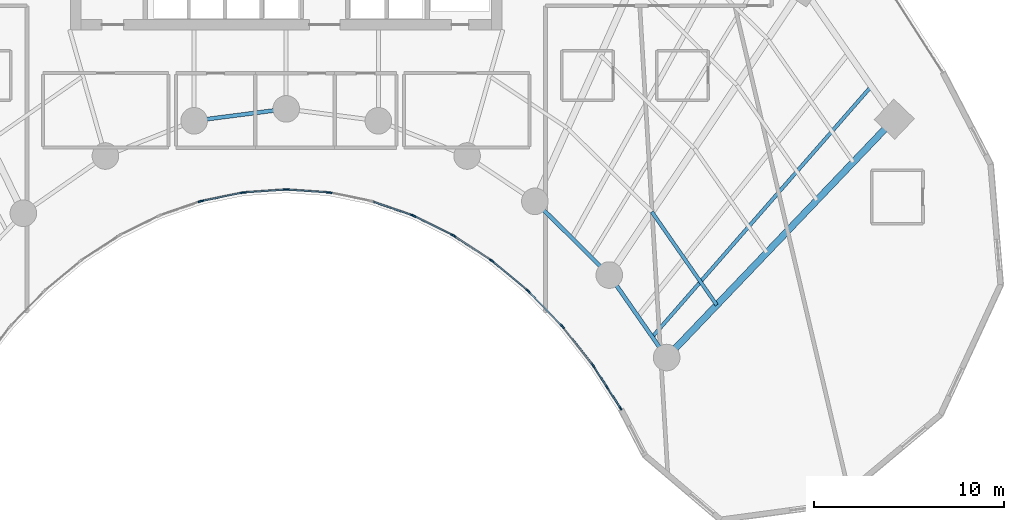
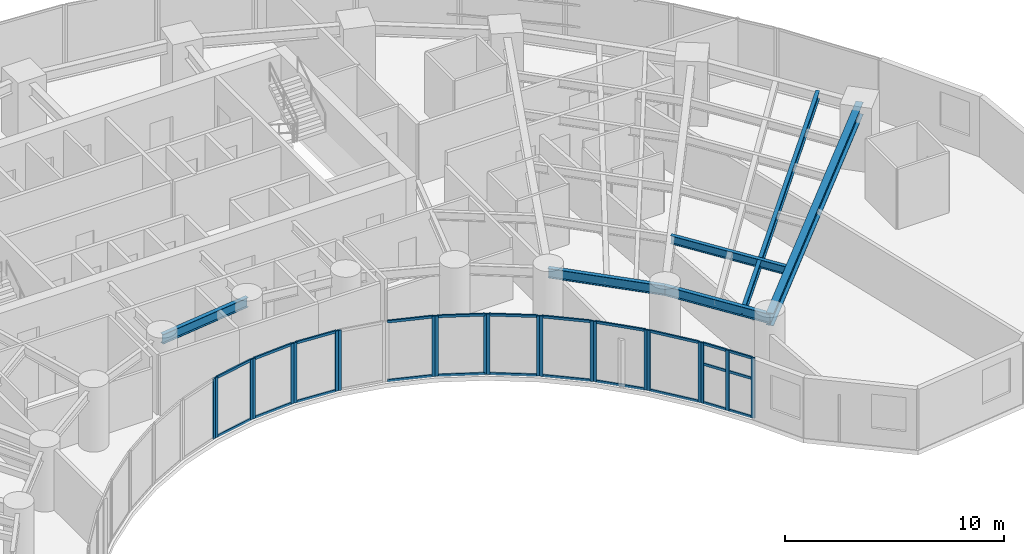
# One storey, part 4 of 17: 46 members, 6 beams, 12 elements without a shape of their own.
"""IFC4 building model written with IfcOpenShell, lengths in metres."""

from ifc_helpers import new_model, si_unit, direction, frame, origin, origin_2d, place, context, subcontext, project, spatial, rectangle, i_section, extrude, source, transform, mapped, material, layer, layer_set, material_profile, profile_set, type_object, type_shapes, element, aggregate, save


model = new_model("IFC4")

# Units and contexts
model_context = context("Model", 3, precision=1e-05, world=origin(), true_north=direction((0.0, 1.0)))
body_context = subcontext(model_context, "Body", "Model", "MODEL_VIEW")
ifc_project = project(units=[si_unit("LENGTHUNIT", "METRE"), si_unit("AREAUNIT", "SQUARE_METRE"), si_unit("VOLUMEUNIT", "CUBIC_METRE"), si_unit("PLANEANGLEUNIT", "RADIAN"), si_unit("MASSUNIT", "GRAM", prefix="KILO")], contexts=[model_context])

# Site, building, storey
site_placement = place(None, origin())
site = spatial("IfcSite", under=ifc_project, at=site_placement, CompositionType="ELEMENT")
building_placement = place(site_placement, origin())
building = spatial("IfcBuilding", under=site, at=building_placement, Name="Breltana Convention Tower", CompositionType="ELEMENT")
storey_placement = place(building_placement, frame((0.0, 0.0, 78.60009765625)))
storey = spatial("IfcBuildingStorey", under=building, at=storey_placement, Name="L18", CompositionType="ELEMENT", Elevation=78.60009765625)

# Beams
ifc_material_1 = material(Name="Steel ASTM A992 Grade 50", Category="steel")
ifc_material_profile_1 = material_profile(ifc_material_1, i_section(OverallWidth=0.35498046875, OverallDepth=0.696044921875, WebThickness=0.015380859375, FlangeThickness=0.02490234375, at=origin_2d()), Name="W27X146")
ifc_profile_set_1 = profile_set([ifc_material_profile_1], Name="Steel ASTM A992 Grade 50")
beam_type_1 = type_object("IfcBeamType", Name="BM-RG-W27X146", PredefinedType="USERDEFINED", material=ifc_profile_set_1)
shared_shape_1 = source(origin(), body_context, "Body", "SweptSolid", [
    extrude(i_section(OverallWidth=0.35498046875, OverallDepth=0.696044921875, WebThickness=0.015380859375, FlangeThickness=0.02490234375, at=origin_2d()), origin(), (0.0, 0.0, 1.0), 17.341064453125),
])
type_shapes(beam_type_1, [shared_shape_1])
beam_1_placement = place(storey_placement, frame((68.015380859375, 42.95458984375, 3.011962890625), z_axis=(0.690716462293, 0.723125693581, 0.0), x_axis=(-0.723125693581, 0.690716462293, 0.0)))
element("IfcBeam", 1, at=beam_1_placement, inside=storey, type_object=beam_type_1, Name="L18 Radial Floor Girder R11", ObjectType="GIRDER", PredefinedType="USERDEFINED", context=body_context, shape_type="MappedRepresentation", body=[
    mapped(shared_shape_1, transform((0.0, 0.0, 0.0), scale=1.0)),
])
ifc_material_profile_2 = material_profile(ifc_material_1, i_section(OverallWidth=0.2099609375, OverallDepth=0.537109375, WebThickness=0.010986328125, FlangeThickness=0.017333984375, at=origin_2d()), Name="W21X68")
ifc_profile_set_2 = profile_set([ifc_material_profile_2], Name="Steel ASTM A992 Grade 50")
beam_type_2 = type_object("IfcBeamType", Name="BM-BM-W21X68", PredefinedType="BEAM", material=ifc_profile_set_2)
shared_shape_2 = source(origin(), body_context, "Body", "SweptSolid", [
    extrude(i_section(OverallWidth=0.2099609375, OverallDepth=0.537109375, WebThickness=0.010986328125, FlangeThickness=0.017333984375, at=origin_2d()), origin(), (0.0, 0.0, 1.0), 4.88671875),
])
beam_2_placement = place(storey_placement, frame((43.153564453125, 55.41064453125, 3.09130859375), z_axis=(0.991780525565, 0.127950729231, 0.0), x_axis=(-0.127950729231, 0.991780525565, 0.0)))
element("IfcBeam", 2, at=beam_2_placement, inside=storey, type_object=beam_type_2, Name="L18 Inner Ring Beam 05", PredefinedType="BEAM", context=body_context, shape_type="MappedRepresentation", body=[
    mapped(shared_shape_2, transform((0.0, 0.0, 0.0), scale=1.0)),
])
shared_shape_3 = source(origin(), body_context, "Body", "SweptSolid", [
    extrude(i_section(OverallWidth=0.2099609375, OverallDepth=0.537109375, WebThickness=0.010986328125, FlangeThickness=0.017333984375, at=origin_2d()), origin(), (0.0, 0.0, 1.0), 5.51171875),
])
beam_3_placement = place(storey_placement, frame((61.08203125, 51.174560546875, 3.09130859375), z_axis=(0.710090360749, -0.704110559196, 0.0), x_axis=(0.704110559196, 0.710090360749, 0.0)))
element("IfcBeam", 3, at=beam_3_placement, inside=storey, type_object=beam_type_2, Name="L18 Inner Ring Beam 09", PredefinedType="BEAM", context=body_context, shape_type="MappedRepresentation", body=[
    mapped(shared_shape_3, transform((0.0, 0.0, 0.0), scale=1.0)),
])
shared_shape_4 = source(origin(), body_context, "Body", "SweptSolid", [
    extrude(i_section(OverallWidth=0.2099609375, OverallDepth=0.537109375, WebThickness=0.010986328125, FlangeThickness=0.017333984375, at=origin_2d()), origin(), (0.0, 0.0, 1.0), 5.286376953125),
])
beam_4_placement = place(storey_placement, frame((64.995849609375, 47.293701171875, 3.09130859375), z_axis=(0.571194382458, -0.82081482531, 0.0), x_axis=(0.82081482531, 0.571194382458, 0.0)))
element("IfcBeam", 4, at=beam_4_placement, inside=storey, type_object=beam_type_2, Name="L18 Inner Ring Beam 10", PredefinedType="BEAM", context=body_context, shape_type="MappedRepresentation", body=[
    mapped(shared_shape_4, transform((0.0, 0.0, 0.0), scale=1.0)),
])
ifc_material_profile_3 = material_profile(ifc_material_1, i_section(OverallWidth=0.19091796875, OverallDepth=0.4599609375, WebThickness=0.010009765625, FlangeThickness=0.01611328125, at=origin_2d()), Name="W18X55")
ifc_profile_set_3 = profile_set([ifc_material_profile_3], Name="Steel ASTM A992 Grade 50")
beam_type_3 = type_object("IfcBeamType", Name="BM-JSG-07", PredefinedType="JOIST", material=ifc_profile_set_3)
shared_shape_5 = source(origin(), body_context, "Body", "SweptSolid", [
    extrude(i_section(OverallWidth=0.19091796875, OverallDepth=0.4599609375, WebThickness=0.010009765625, FlangeThickness=0.01611328125, at=origin_2d()), origin(), (0.0, 0.0, 1.0), 5.982421875),
])
beam_5_placement = place(storey_placement, frame((67.2333984375, 50.623779296875, 3.1298828125), z_axis=(0.571211549446, -0.82080287876, 0.0), x_axis=(0.82080287876, 0.571211549446, 0.0)))
element("IfcBeam", 5, at=beam_5_placement, inside=storey, type_object=beam_type_3, Name="L18 Composite Floor Joist 10.1", PredefinedType="JOIST", context=body_context, shape_type="MappedRepresentation", body=[
    mapped(shared_shape_5, transform((0.0, 0.0, 0.0), scale=1.0)),
])
shared_shape_6 = source(origin(), body_context, "Body", "SweptSolid", [
    extrude(i_section(OverallWidth=0.19091796875, OverallDepth=0.4599609375, WebThickness=0.010009765625, FlangeThickness=0.01611328125, at=origin_2d()), origin(), (0.0, 0.0, 1.0), 17.515625),
])
beam_6_placement = place(storey_placement, frame((67.260498046875, 44.03955078125, 3.1298828125), z_axis=(0.658051548324, 0.752972881151, 0.0), x_axis=(-0.752972881151, 0.658051548324, 0.0)))
element("IfcBeam", 6, at=beam_6_placement, inside=storey, type_object=beam_type_3, Name="L18 Quarter-Bay Radial Trimmer 10", PredefinedType="JOIST", context=body_context, shape_type="MappedRepresentation", body=[
    mapped(shared_shape_6, transform((0.0, 0.0, 0.0), scale=1.0)),
])

# Curtain wall, members
ifc_material_2 = material(Name="Aluminium Anodised Bronze Frame", Category="aluminium")
ifc_layer = layer(ifc_material_2, 0.18994140625, Name="Aluminium Anodised Bronze Frame")
ifc_layer_set = layer_set([ifc_layer], Name="Aluminium Anodised Bronze Frame")
curtain_wall_type = type_object("IfcCurtainWallType", Name="CW-SYS-1", PredefinedType="NOTDEFINED", material=ifc_layer_set)
curtain_wall_1_placement = place(storey_placement, origin())
curtain_wall_1 = element("IfcCurtainWall", 7, at=curtain_wall_1_placement, inside=storey, type_object=curtain_wall_type, Name="L18 inner south-court glazing 3", PredefinedType="NOTDEFINED")
ifc_material_3 = material(Name="Aluminium Anodised Bronze", Category="aluminium")
ifc_material_profile_4 = material_profile(ifc_material_3, rectangle(XDim=0.080078125, YDim=0.139892578125, at=origin_2d()), Name="CWT-80X140")
ifc_profile_set_4 = profile_set([ifc_material_profile_4], Name="Aluminium Anodised Bronze")
member_type_1 = type_object("IfcMemberType", Name="CWT-140", PredefinedType="USERDEFINED", material=ifc_profile_set_4)
shared_shape_7 = source(origin(), body_context, "Body", "SweptSolid", [
    extrude(rectangle(XDim=0.080078125, YDim=0.139892578125, at=origin_2d()), origin(), (0.0, 0.0, 1.0), 2.38720703125),
])
type_shapes(member_type_1, [shared_shape_7])
member_1_placement = place(storey_placement, frame((62.4560546875, 44.667724609375, 0.039794921875), z_axis=(-0.694623715393, 0.719373264734, 0.0), x_axis=(-0.719373264734, -0.694623715393, 0.0)))
member_1 = element("IfcMember", 8, at=member_1_placement, type_object=member_type_1, Name="CW-01 transom 1.1", ObjectType="TRANSOM", PredefinedType="USERDEFINED", context=body_context, shape_type="MappedRepresentation", body=[
    mapped(shared_shape_7, transform((0.0, 0.0, 0.0), scale=1.0)),
])
member_2_placement = place(storey_placement, frame((62.4560546875, 44.667724609375, 3.31982421875), z_axis=(-0.694623715393, 0.719373264734, 0.0), x_axis=(-0.719373264734, -0.694623715393, 0.0)))
member_2 = element("IfcMember", 9, at=member_2_placement, type_object=member_type_1, Name="CW-01 transom 1.2", ObjectType="TRANSOM", PredefinedType="USERDEFINED", context=body_context, shape_type="MappedRepresentation", body=[
    mapped(shared_shape_7, transform((0.0, 0.0, 0.0), scale=1.0)),
])

curtain_wall_2_placement = place(storey_placement, origin())
curtain_wall_2 = element("IfcCurtainWall", 10, at=curtain_wall_2_placement, inside=storey, type_object=curtain_wall_type, Name="L18 inner south-court glazing 4", PredefinedType="NOTDEFINED")
shared_shape_8 = source(origin(), body_context, "Body", "SweptSolid", [
    extrude(rectangle(XDim=0.080078125, YDim=0.139892578125, at=origin_2d()), origin(), (0.0, 0.0, 1.0), 2.312255859375),
])
member_3_placement = place(storey_placement, frame((60.666748046875, 46.5068359375, 0.039794921875), z_axis=(-0.767900974507, 0.640568570374, 0.0), x_axis=(-0.640568570374, -0.767900974507, 0.0)))
member_3 = element("IfcMember", 11, at=member_3_placement, type_object=member_type_1, Name="CW-01 transom 1.1", ObjectType="TRANSOM", PredefinedType="USERDEFINED", context=body_context, shape_type="MappedRepresentation", body=[
    mapped(shared_shape_8, transform((0.0, 0.0, 0.0), scale=1.0)),
])
member_4_placement = place(storey_placement, frame((60.666748046875, 46.5068359375, 3.31982421875), z_axis=(-0.767900974507, 0.640568570374, 0.0), x_axis=(-0.640568570374, -0.767900974507, 0.0)))
member_4 = element("IfcMember", 12, at=member_4_placement, type_object=member_type_1, Name="CW-01 transom 1.2", ObjectType="TRANSOM", PredefinedType="USERDEFINED", context=body_context, shape_type="MappedRepresentation", body=[
    mapped(shared_shape_8, transform((0.0, 0.0, 0.0), scale=1.0)),
])

curtain_wall_3_placement = place(storey_placement, origin())
curtain_wall_3 = element("IfcCurtainWall", 13, at=curtain_wall_3_placement, inside=storey, type_object=curtain_wall_type, Name="L18 inner south-court glazing 5", PredefinedType="NOTDEFINED")
shared_shape_9 = source(origin(), body_context, "Body", "SweptSolid", [
    extrude(rectangle(XDim=0.080078125, YDim=0.139892578125, at=origin_2d()), origin(), (0.0, 0.0, 1.0), 2.2421875),
])
member_5_placement = place(storey_placement, frame((58.746337890625, 48.095458984375, 0.039794921875), z_axis=(-0.835982353773, 0.548756324957, 0.0), x_axis=(-0.548756324957, -0.835982353773, 0.0)))
member_5 = element("IfcMember", 14, at=member_5_placement, type_object=member_type_1, Name="CW-01 transom 1.1", ObjectType="TRANSOM", PredefinedType="USERDEFINED", context=body_context, shape_type="MappedRepresentation", body=[
    mapped(shared_shape_9, transform((0.0, 0.0, 0.0), scale=1.0)),
])
member_6_placement = place(storey_placement, frame((58.746337890625, 48.095458984375, 3.31982421875), z_axis=(-0.835982353773, 0.548756324957, 0.0), x_axis=(-0.548756324957, -0.835982353773, 0.0)))
member_6 = element("IfcMember", 15, at=member_6_placement, type_object=member_type_1, Name="CW-01 transom 1.2", ObjectType="TRANSOM", PredefinedType="USERDEFINED", context=body_context, shape_type="MappedRepresentation", body=[
    mapped(shared_shape_9, transform((0.0, 0.0, 0.0), scale=1.0)),
])

curtain_wall_4_placement = place(storey_placement, origin())
curtain_wall_4 = element("IfcCurtainWall", 16, at=curtain_wall_4_placement, inside=storey, type_object=curtain_wall_type, Name="L18 inner south-court glazing 6", PredefinedType="NOTDEFINED")
shared_shape_10 = source(origin(), body_context, "Body", "SweptSolid", [
    extrude(rectangle(XDim=0.080078125, YDim=0.139892578125, at=origin_2d()), origin(), (0.0, 0.0, 1.0), 2.180908203125),
])
member_7_placement = place(storey_placement, frame((56.71435546875, 49.416015625, 0.039794921875), z_axis=(-0.895922266369, 0.444210865045, 0.0), x_axis=(-0.444210865045, -0.895922266369, 0.0)))
member_7 = element("IfcMember", 17, at=member_7_placement, type_object=member_type_1, Name="CW-01 transom 1.1", ObjectType="TRANSOM", PredefinedType="USERDEFINED", context=body_context, shape_type="MappedRepresentation", body=[
    mapped(shared_shape_10, transform((0.0, 0.0, 0.0), scale=1.0)),
])
member_8_placement = place(storey_placement, frame((56.71435546875, 49.416015625, 3.31982421875), z_axis=(-0.895922266369, 0.444210865045, 0.0), x_axis=(-0.444210865045, -0.895922266369, 0.0)))
member_8 = element("IfcMember", 18, at=member_8_placement, type_object=member_type_1, Name="CW-01 transom 1.2", ObjectType="TRANSOM", PredefinedType="USERDEFINED", context=body_context, shape_type="MappedRepresentation", body=[
    mapped(shared_shape_10, transform((0.0, 0.0, 0.0), scale=1.0)),
])

curtain_wall_5_placement = place(storey_placement, origin())
curtain_wall_5 = element("IfcCurtainWall", 19, at=curtain_wall_5_placement, inside=storey, type_object=curtain_wall_type, Name="L18 inner south-court glazing 9", PredefinedType="NOTDEFINED")
shared_shape_11 = source(origin(), body_context, "Body", "SweptSolid", [
    extrude(rectangle(XDim=0.080078125, YDim=0.139892578125, at=origin_2d()), origin(), (0.0, 0.0, 1.0), 2.07861328125),
])
member_9_placement = place(storey_placement, frame((50.165771484375, 51.6474609375, 0.039794921875), z_axis=(-0.997708627147, 0.067657189691, 0.0), x_axis=(-0.067657189691, -0.997708627147, 0.0)))
member_9 = element("IfcMember", 20, at=member_9_placement, type_object=member_type_1, Name="CW-01 transom 1.1", ObjectType="TRANSOM", PredefinedType="USERDEFINED", context=body_context, shape_type="MappedRepresentation", body=[
    mapped(shared_shape_11, transform((0.0, 0.0, 0.0), scale=1.0)),
])
member_10_placement = place(storey_placement, frame((50.165771484375, 51.6474609375, 3.31982421875), z_axis=(-0.997708627147, 0.067657189691, 0.0), x_axis=(-0.067657189691, -0.997708627147, 0.0)))
member_10 = element("IfcMember", 21, at=member_10_placement, type_object=member_type_1, Name="CW-01 transom 1.2", ObjectType="TRANSOM", PredefinedType="USERDEFINED", context=body_context, shape_type="MappedRepresentation", body=[
    mapped(shared_shape_11, transform((0.0, 0.0, 0.0), scale=1.0)),
])

curtain_wall_6_placement = place(storey_placement, origin())
curtain_wall_6 = element("IfcCurtainWall", 22, at=curtain_wall_6_placement, inside=storey, type_object=curtain_wall_type, Name="L18 inner south-court glazing 10", PredefinedType="NOTDEFINED")
member_11_placement = place(storey_placement, frame((47.907958984375, 51.7880859375, 0.039794921875), z_axis=(-0.997708627147, -0.067657189691, 0.0), x_axis=(0.067657189691, -0.997708627147, 0.0)))
member_11 = element("IfcMember", 23, at=member_11_placement, type_object=member_type_1, Name="CW-01 transom 1.1", ObjectType="TRANSOM", PredefinedType="USERDEFINED", context=body_context, shape_type="MappedRepresentation", body=[
    mapped(shared_shape_11, transform((0.0, 0.0, 0.0), scale=1.0)),
])
member_12_placement = place(storey_placement, frame((47.907958984375, 51.7880859375, 3.31982421875), z_axis=(-0.997708627147, -0.067657189691, 0.0), x_axis=(0.067657189691, -0.997708627147, 0.0)))
member_12 = element("IfcMember", 24, at=member_12_placement, type_object=member_type_1, Name="CW-01 transom 1.2", ObjectType="TRANSOM", PredefinedType="USERDEFINED", context=body_context, shape_type="MappedRepresentation", body=[
    mapped(shared_shape_11, transform((0.0, 0.0, 0.0), scale=1.0)),
])

curtain_wall_7_placement = place(storey_placement, origin())
curtain_wall_7 = element("IfcCurtainWall", 25, at=curtain_wall_7_placement, inside=storey, type_object=curtain_wall_type, Name="L18 inner south-court glazing 2", PredefinedType="NOTDEFINED")
shared_shape_12 = source(origin(), body_context, "Body", "SweptSolid", [
    extrude(rectangle(XDim=0.080078125, YDim=0.139892578125, at=origin_2d()), origin(), (0.0, 0.0, 1.0), 2.4638671875),
])
member_13_placement = place(storey_placement, frame((64.09619140625, 42.5966796875, 0.039794921875), z_axis=(-0.618184689608, 0.786032880695, 0.0), x_axis=(-0.786032880695, -0.618184689608, 0.0)))
member_13 = element("IfcMember", 26, at=member_13_placement, type_object=member_type_1, Name="CW-01 transom 1.1", ObjectType="TRANSOM", PredefinedType="USERDEFINED", context=body_context, shape_type="MappedRepresentation", body=[
    mapped(shared_shape_12, transform((0.0, 0.0, 0.0), scale=1.0)),
])
member_14_placement = place(storey_placement, frame((64.09619140625, 42.5966796875, 3.31982421875), z_axis=(-0.618184689608, 0.786032880695, 0.0), x_axis=(-0.786032880695, -0.618184689608, 0.0)))
member_14 = element("IfcMember", 27, at=member_14_placement, type_object=member_type_1, Name="CW-01 transom 1.2", ObjectType="TRANSOM", PredefinedType="USERDEFINED", context=body_context, shape_type="MappedRepresentation", body=[
    mapped(shared_shape_12, transform((0.0, 0.0, 0.0), scale=1.0)),
])

curtain_wall_8_placement = place(storey_placement, origin())
curtain_wall_8 = element("IfcCurtainWall", 28, at=curtain_wall_8_placement, inside=storey, type_object=curtain_wall_type, Name="L18 inner south-court glazing 1", PredefinedType="NOTDEFINED")
shared_shape_13 = source(origin(), body_context, "Body", "SweptSolid", [
    extrude(rectangle(XDim=0.080078125, YDim=0.139892578125, at=origin_2d()), origin(), (0.0, 0.0, 1.0), 1.229736328125),
])
member_15_placement = place(storey_placement, frame((65.57080078125, 40.315185546875, 0.039794921875), z_axis=(-0.540185543357, 0.841545945714, 0.0), x_axis=(-0.841545945714, -0.540185543357, 0.0)))
member_15 = element("IfcMember", 29, at=member_15_placement, type_object=member_type_1, Name="CW-01 transom 1.1", ObjectType="TRANSOM", PredefinedType="USERDEFINED", context=body_context, shape_type="MappedRepresentation", body=[
    mapped(shared_shape_13, transform((0.0, 0.0, 0.0), scale=1.0)),
])
member_16_placement = place(storey_placement, frame((65.57080078125, 40.315185546875, 2.183837890625), z_axis=(-0.540185543357, 0.841545945714, 0.0), x_axis=(-0.841545945714, -0.540185543357, 0.0)))
member_16 = element("IfcMember", 30, at=member_16_placement, type_object=member_type_1, Name="CW-01 transom 1.2", ObjectType="TRANSOM", PredefinedType="USERDEFINED", context=body_context, shape_type="MappedRepresentation", body=[
    mapped(shared_shape_13, transform((0.0, 0.0, 0.0), scale=1.0)),
])
member_17_placement = place(storey_placement, frame((65.57080078125, 40.315185546875, 3.31982421875), z_axis=(-0.540185543357, 0.841545945714, 0.0), x_axis=(-0.841545945714, -0.540185543357, 0.0)))
member_17 = element("IfcMember", 31, at=member_17_placement, type_object=member_type_1, Name="CW-01 transom 1.3", ObjectType="TRANSOM", PredefinedType="USERDEFINED", context=body_context, shape_type="MappedRepresentation", body=[
    mapped(shared_shape_13, transform((0.0, 0.0, 0.0), scale=1.0)),
])
member_18_placement = place(storey_placement, frame((64.86328125, 41.41748046875, 0.039794921875), z_axis=(-0.540185543357, 0.841545945714, 0.0), x_axis=(-0.841545945714, -0.540185543357, 0.0)))
member_18 = element("IfcMember", 32, at=member_18_placement, type_object=member_type_1, Name="CW-01 transom 2.1", ObjectType="TRANSOM", PredefinedType="USERDEFINED", context=body_context, shape_type="MappedRepresentation", body=[
    mapped(shared_shape_13, transform((0.0, 0.0, 0.0), scale=1.0)),
])
member_19_placement = place(storey_placement, frame((64.86328125, 41.41748046875, 2.183837890625), z_axis=(-0.540185543357, 0.841545945714, 0.0), x_axis=(-0.841545945714, -0.540185543357, 0.0)))
member_19 = element("IfcMember", 33, at=member_19_placement, type_object=member_type_1, Name="CW-01 transom 2.2", ObjectType="TRANSOM", PredefinedType="USERDEFINED", context=body_context, shape_type="MappedRepresentation", body=[
    mapped(shared_shape_13, transform((0.0, 0.0, 0.0), scale=1.0)),
])
member_20_placement = place(storey_placement, frame((64.86328125, 41.41748046875, 3.31982421875), z_axis=(-0.540185543357, 0.841545945714, 0.0), x_axis=(-0.841545945714, -0.540185543357, 0.0)))
member_20 = element("IfcMember", 34, at=member_20_placement, type_object=member_type_1, Name="CW-01 transom 2.3", ObjectType="TRANSOM", PredefinedType="USERDEFINED", context=body_context, shape_type="MappedRepresentation", body=[
    mapped(shared_shape_13, transform((0.0, 0.0, 0.0), scale=1.0)),
])

curtain_wall_9_placement = place(storey_placement, origin())
curtain_wall_9 = element("IfcCurtainWall", 35, at=curtain_wall_9_placement, inside=storey, type_object=curtain_wall_type, Name="L18 inner south-court glazing 7", PredefinedType="NOTDEFINED")
shared_shape_14 = source(origin(), body_context, "Body", "SweptSolid", [
    extrude(rectangle(XDim=0.080078125, YDim=0.139892578125, at=origin_2d()), origin(), (0.0, 0.0, 1.0), 2.131103515625),
])
member_21_placement = place(storey_placement, frame((54.592041015625, 50.455078125, 0.039794921875), z_axis=(-0.944847069856, 0.327511854112, 0.0), x_axis=(-0.327511854112, -0.944847069856, 0.0)))
member_21 = element("IfcMember", 36, at=member_21_placement, type_object=member_type_1, Name="CW-01 transom 1.1", ObjectType="TRANSOM", PredefinedType="USERDEFINED", context=body_context, shape_type="MappedRepresentation", body=[
    mapped(shared_shape_14, transform((0.0, 0.0, 0.0), scale=1.0)),
])
member_22_placement = place(storey_placement, frame((54.592041015625, 50.455078125, 3.31982421875), z_axis=(-0.944847069856, 0.327511854112, 0.0), x_axis=(-0.327511854112, -0.944847069856, 0.0)))
member_22 = element("IfcMember", 37, at=member_22_placement, type_object=member_type_1, Name="CW-01 transom 1.2", ObjectType="TRANSOM", PredefinedType="USERDEFINED", context=body_context, shape_type="MappedRepresentation", body=[
    mapped(shared_shape_14, transform((0.0, 0.0, 0.0), scale=1.0)),
])

curtain_wall_10_placement = place(storey_placement, origin())
curtain_wall_10 = element("IfcCurtainWall", 38, at=curtain_wall_10_placement, inside=storey, type_object=curtain_wall_type, Name="L18 inner south-court glazing 11", PredefinedType="NOTDEFINED")
shared_shape_15 = source(origin(), body_context, "Body", "SweptSolid", [
    extrude(rectangle(XDim=0.080078125, YDim=0.139892578125, at=origin_2d()), origin(), (0.0, 0.0, 1.0), 2.096435546875),
])
member_23_placement = place(storey_placement, frame((45.652099609375, 51.62255859375, 0.039794921875), z_axis=(-0.979615042233, -0.200883969074, 0.0), x_axis=(0.200883969074, -0.979615042233, 0.0)))
member_23 = element("IfcMember", 39, at=member_23_placement, type_object=member_type_1, Name="CW-01 transom 1.1", ObjectType="TRANSOM", PredefinedType="USERDEFINED", context=body_context, shape_type="MappedRepresentation", body=[
    mapped(shared_shape_15, transform((0.0, 0.0, 0.0), scale=1.0)),
])
member_24_placement = place(storey_placement, frame((45.652099609375, 51.62255859375, 3.31982421875), z_axis=(-0.979615042233, -0.200883969074, 0.0), x_axis=(0.200883969074, -0.979615042233, 0.0)))
member_24 = element("IfcMember", 40, at=member_24_placement, type_object=member_type_1, Name="CW-01 transom 1.2", ObjectType="TRANSOM", PredefinedType="USERDEFINED", context=body_context, shape_type="MappedRepresentation", body=[
    mapped(shared_shape_15, transform((0.0, 0.0, 0.0), scale=1.0)),
])

# Member
ifc_material_profile_5 = material_profile(ifc_material_3, rectangle(XDim=0.080078125, YDim=0.199951171875, at=origin_2d()), Name="CWM-80X200")
ifc_profile_set_5 = profile_set([ifc_material_profile_5], Name="Aluminium Anodised Bronze")
member_type_2 = type_object("IfcMemberType", Name="CWM-200", PredefinedType="MULLION", material=ifc_profile_set_5)
shared_shape_16 = source(origin(), body_context, "Body", "SweptSolid", [
    extrude(rectangle(XDim=0.080078125, YDim=0.199951171875, at=origin_2d()), origin(), (0.0, 0.0, 1.0), 3.35986328125),
])
member_25_placement = place(storey_placement, frame((65.59228515625, 40.281494140625, 0.0), z_axis=(0.0, 0.0, 1.0), x_axis=(-0.841556194767, -0.540169576197, 0.0)))
member_25 = element("IfcMember", 41, at=member_25_placement, type_object=member_type_2, Name="CW-01 mullion 1", PredefinedType="MULLION", context=body_context, shape_type="MappedRepresentation", body=[
    mapped(shared_shape_16, transform((0.0, 0.0, 0.0), scale=1.0)),
])

member_26_placement = place(storey_placement, frame((64.884765625, 41.3837890625, 0.0), z_axis=(0.0, 0.0, 1.0), x_axis=(-0.841556194767, -0.540169576197, 0.0)))
member_26 = element("IfcMember", 42, at=member_26_placement, type_object=member_type_2, Name="CW-01 mullion 2", PredefinedType="MULLION", context=body_context, shape_type="MappedRepresentation", body=[
    mapped(shared_shape_16, transform((0.0, 0.0, 0.0), scale=1.0)),
])

member_27_placement = place(storey_placement, frame((64.17724609375, 42.48583984375, 0.0), z_axis=(0.0, 0.0, 1.0), x_axis=(-0.841556194767, -0.540169576197, 0.0)))
member_27 = element("IfcMember", 43, at=member_27_placement, type_object=member_type_2, Name="CW-01 mullion 3", PredefinedType="MULLION", context=body_context, shape_type="MappedRepresentation", body=[
    mapped(shared_shape_16, transform((0.0, 0.0, 0.0), scale=1.0)),
])

aggregate(curtain_wall_8, [member_25, member_26, member_27, member_15, member_16, member_17, member_18, member_19, member_20])

member_28_placement = place(storey_placement, frame((64.12109375, 42.565185546875, 0.0), z_axis=(0.0, 0.0, 1.0), x_axis=(-0.786057762734, -0.61815305034, 0.0)))
member_28 = element("IfcMember", 44, at=member_28_placement, type_object=member_type_2, Name="CW-01 mullion 1", PredefinedType="MULLION", context=body_context, shape_type="MappedRepresentation", body=[
    mapped(shared_shape_16, transform((0.0, 0.0, 0.0), scale=1.0)),
])

member_29_placement = place(storey_placement, frame((62.54833984375, 44.56494140625, 0.0), z_axis=(0.0, 0.0, 1.0), x_axis=(-0.786057762734, -0.61815305034, 0.0)))
member_29 = element("IfcMember", 45, at=member_29_placement, type_object=member_type_2, Name="CW-01 mullion 2", PredefinedType="MULLION", context=body_context, shape_type="MappedRepresentation", body=[
    mapped(shared_shape_16, transform((0.0, 0.0, 0.0), scale=1.0)),
])

aggregate(curtain_wall_7, [member_28, member_29, member_13, member_14])

member_30_placement = place(storey_placement, frame((62.48388671875, 44.638916015625, 0.0), z_axis=(0.0, 0.0, 1.0), x_axis=(-0.719384548773, -0.694612029111, 0.0)))
member_30 = element("IfcMember", 46, at=member_30_placement, type_object=member_type_2, Name="CW-01 mullion 1", PredefinedType="MULLION", context=body_context, shape_type="MappedRepresentation", body=[
    mapped(shared_shape_16, transform((0.0, 0.0, 0.0), scale=1.0)),
])

member_31_placement = place(storey_placement, frame((60.77001953125, 46.413818359375, 0.0), z_axis=(0.0, 0.0, 1.0), x_axis=(-0.719384548773, -0.694612029111, 0.0)))
member_31 = element("IfcMember", 47, at=member_31_placement, type_object=member_type_2, Name="CW-01 mullion 2", PredefinedType="MULLION", context=body_context, shape_type="MappedRepresentation", body=[
    mapped(shared_shape_16, transform((0.0, 0.0, 0.0), scale=1.0)),
])

aggregate(curtain_wall_1, [member_30, member_31, member_1, member_2])

member_32_placement = place(storey_placement, frame((60.697265625, 46.481201171875, 0.0), z_axis=(0.0, 0.0, 1.0), x_axis=(-0.640522524458, -0.767939382804, 0.0)))
member_32 = element("IfcMember", 48, at=member_32_placement, type_object=member_type_2, Name="CW-01 mullion 1", PredefinedType="MULLION", context=body_context, shape_type="MappedRepresentation", body=[
    mapped(shared_shape_16, transform((0.0, 0.0, 0.0), scale=1.0)),
])

member_33_placement = place(storey_placement, frame((58.8603515625, 48.013671875, 0.0), z_axis=(0.0, 0.0, 1.0), x_axis=(-0.640522524458, -0.767939382804, 0.0)))
member_33 = element("IfcMember", 49, at=member_33_placement, type_object=member_type_2, Name="CW-01 mullion 2", PredefinedType="MULLION", context=body_context, shape_type="MappedRepresentation", body=[
    mapped(shared_shape_16, transform((0.0, 0.0, 0.0), scale=1.0)),
])

aggregate(curtain_wall_2, [member_32, member_33, member_3, member_4])

member_34_placement = place(storey_placement, frame((58.779541015625, 48.073486328125, 0.0), z_axis=(0.0, 0.0, 1.0), x_axis=(-0.548778278441, -0.835967942634, 0.0)))
member_34 = element("IfcMember", 50, at=member_34_placement, type_object=member_type_2, Name="CW-01 mullion 1", PredefinedType="MULLION", context=body_context, shape_type="MappedRepresentation", body=[
    mapped(shared_shape_16, transform((0.0, 0.0, 0.0), scale=1.0)),
])

member_35_placement = place(storey_placement, frame((56.83837890625, 49.347900390625, 0.0), z_axis=(0.0, 0.0, 1.0), x_axis=(-0.548778278441, -0.835967942634, 0.0)))
member_35 = element("IfcMember", 51, at=member_35_placement, type_object=member_type_2, Name="CW-01 mullion 2", PredefinedType="MULLION", context=body_context, shape_type="MappedRepresentation", body=[
    mapped(shared_shape_16, transform((0.0, 0.0, 0.0), scale=1.0)),
])

aggregate(curtain_wall_3, [member_34, member_35, member_5, member_6])

member_36_placement = place(storey_placement, frame((56.750244140625, 49.3984375, 0.0), z_axis=(0.0, 0.0, 1.0), x_axis=(-0.444117987602, -0.895968310315, 0.0)))
member_36 = element("IfcMember", 52, at=member_36_placement, type_object=member_type_2, Name="CW-01 mullion 1", PredefinedType="MULLION", context=body_context, shape_type="MappedRepresentation", body=[
    mapped(shared_shape_16, transform((0.0, 0.0, 0.0), scale=1.0)),
])

member_37_placement = place(storey_placement, frame((54.724609375, 50.40234375, 0.0), z_axis=(0.0, 0.0, 1.0), x_axis=(-0.444117987602, -0.895968310315, 0.0)))
member_37 = element("IfcMember", 53, at=member_37_placement, type_object=member_type_2, Name="CW-01 mullion 2", PredefinedType="MULLION", context=body_context, shape_type="MappedRepresentation", body=[
    mapped(shared_shape_16, transform((0.0, 0.0, 0.0), scale=1.0)),
])

aggregate(curtain_wall_4, [member_36, member_37, member_7, member_8])

member_38_placement = place(storey_placement, frame((54.6298828125, 50.442138671875, 0.0), z_axis=(0.0, 0.0, 1.0), x_axis=(-0.327413341714, -0.944881211406, 0.0)))
member_38 = element("IfcMember", 54, at=member_38_placement, type_object=member_type_2, Name="CW-01 mullion 1", PredefinedType="MULLION", context=body_context, shape_type="MappedRepresentation", body=[
    mapped(shared_shape_16, transform((0.0, 0.0, 0.0), scale=1.0)),
])

aggregate(curtain_wall_9, [member_38, member_21, member_22])

# Curtain wall, member
curtain_wall_11_placement = place(storey_placement, origin())
curtain_wall_11 = element("IfcCurtainWall", 55, at=curtain_wall_11_placement, inside=storey, type_object=curtain_wall_type, Name="L18 inner south-court glazing 8", PredefinedType="NOTDEFINED")
member_39_placement = place(storey_placement, frame((50.30859375, 51.630615234375, 0.0), z_axis=(0.0, 0.0, 1.0), x_axis=(-0.200886350278, -0.97961455393, 0.0)))
member_39 = element("IfcMember", 56, at=member_39_placement, type_object=member_type_2, Name="CW-01 mullion 2", PredefinedType="MULLION", context=body_context, shape_type="MappedRepresentation", body=[
    mapped(shared_shape_16, transform((0.0, 0.0, 0.0), scale=1.0)),
])
aggregate(curtain_wall_11, [member_39])

# Member
member_40_placement = place(storey_placement, frame((50.20556640625, 51.644775390625, 0.0), z_axis=(0.0, 0.0, 1.0), x_axis=(-0.067725752326, -0.997703975371, 0.0)))
member_40 = element("IfcMember", 57, at=member_40_placement, type_object=member_type_2, Name="CW-01 mullion 1", PredefinedType="MULLION", context=body_context, shape_type="MappedRepresentation", body=[
    mapped(shared_shape_16, transform((0.0, 0.0, 0.0), scale=1.0)),
])

member_41_placement = place(storey_placement, frame((48.052001953125, 51.790771484375, 0.0), z_axis=(0.0, 0.0, 1.0), x_axis=(-0.067725752326, -0.997703975371, 0.0)))
member_41 = element("IfcMember", 58, at=member_41_placement, type_object=member_type_2, Name="CW-01 mullion 2", PredefinedType="MULLION", context=body_context, shape_type="MappedRepresentation", body=[
    mapped(shared_shape_16, transform((0.0, 0.0, 0.0), scale=1.0)),
])

aggregate(curtain_wall_5, [member_40, member_41, member_9, member_10])

member_42_placement = place(storey_placement, frame((47.947998046875, 51.790771484375, 0.0), z_axis=(0.0, 0.0, 1.0), x_axis=(0.067725752326, -0.997703975371, 0.0)))
member_42 = element("IfcMember", 59, at=member_42_placement, type_object=member_type_2, Name="CW-01 mullion 1", PredefinedType="MULLION", context=body_context, shape_type="MappedRepresentation", body=[
    mapped(shared_shape_16, transform((0.0, 0.0, 0.0), scale=1.0)),
])

member_43_placement = place(storey_placement, frame((45.79443359375, 51.644775390625, 0.0), z_axis=(0.0, 0.0, 1.0), x_axis=(0.067725752326, -0.997703975371, 0.0)))
member_43 = element("IfcMember", 60, at=member_43_placement, type_object=member_type_2, Name="CW-01 mullion 2", PredefinedType="MULLION", context=body_context, shape_type="MappedRepresentation", body=[
    mapped(shared_shape_16, transform((0.0, 0.0, 0.0), scale=1.0)),
])

aggregate(curtain_wall_6, [member_42, member_43, member_11, member_12])

member_44_placement = place(storey_placement, frame((45.69140625, 51.630615234375, 0.0), z_axis=(0.0, 0.0, 1.0), x_axis=(0.200886350278, -0.97961455393, 0.0)))
member_44 = element("IfcMember", 61, at=member_44_placement, type_object=member_type_2, Name="CW-01 mullion 1", PredefinedType="MULLION", context=body_context, shape_type="MappedRepresentation", body=[
    mapped(shared_shape_16, transform((0.0, 0.0, 0.0), scale=1.0)),
])

member_45_placement = place(storey_placement, frame((43.55908203125, 51.193359375, 0.0), z_axis=(0.0, 0.0, 1.0), x_axis=(0.200886350278, -0.97961455393, 0.0)))
member_45 = element("IfcMember", 62, at=member_45_placement, type_object=member_type_2, Name="CW-01 mullion 2", PredefinedType="MULLION", context=body_context, shape_type="MappedRepresentation", body=[
    mapped(shared_shape_16, transform((0.0, 0.0, 0.0), scale=1.0)),
])

aggregate(curtain_wall_10, [member_44, member_45, member_23, member_24])

# Curtain wall, member
curtain_wall_12_placement = place(storey_placement, origin())
curtain_wall_12 = element("IfcCurtainWall", 63, at=curtain_wall_12_placement, inside=storey, type_object=curtain_wall_type, Name="L18 inner south-court glazing 12", PredefinedType="NOTDEFINED")
member_46_placement = place(storey_placement, frame((43.45947265625, 51.166015625, 0.0), z_axis=(0.0, 0.0, 1.0), x_axis=(0.327413341714, -0.944881211406, 0.0)))
member_46 = element("IfcMember", 64, at=member_46_placement, type_object=member_type_2, Name="CW-01 mullion 1", PredefinedType="MULLION", context=body_context, shape_type="MappedRepresentation", body=[
    mapped(shared_shape_16, transform((0.0, 0.0, 0.0), scale=1.0)),
])
aggregate(curtain_wall_12, [member_46])

save(model, "model.ifc")
